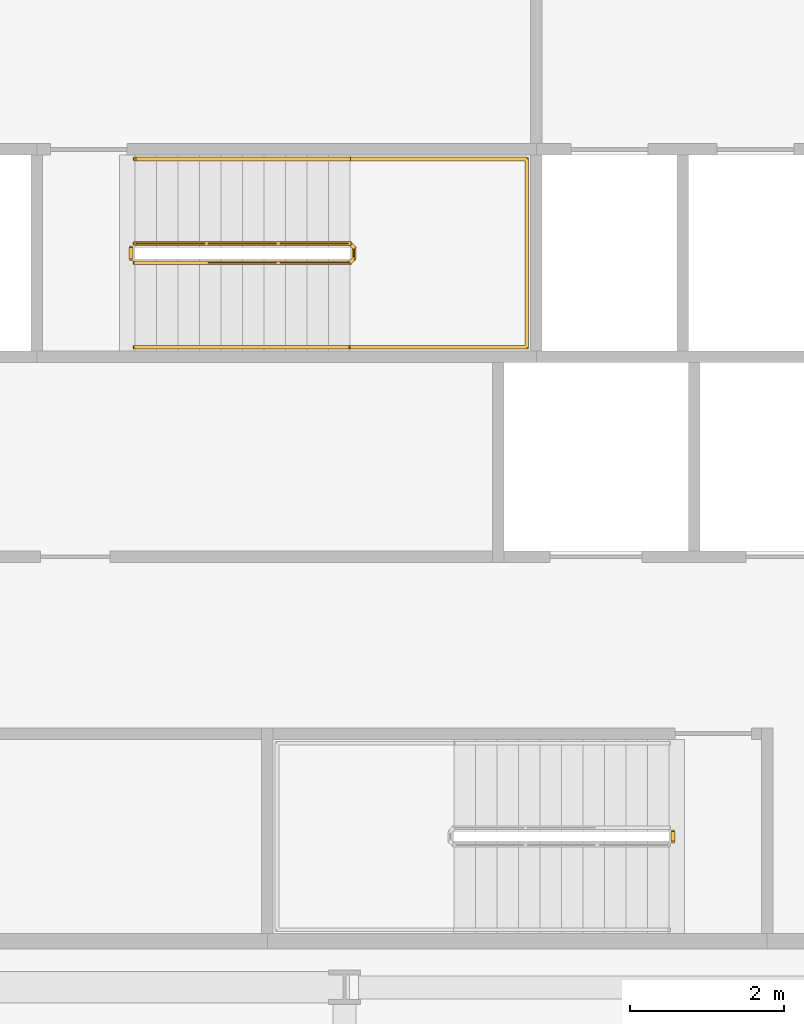
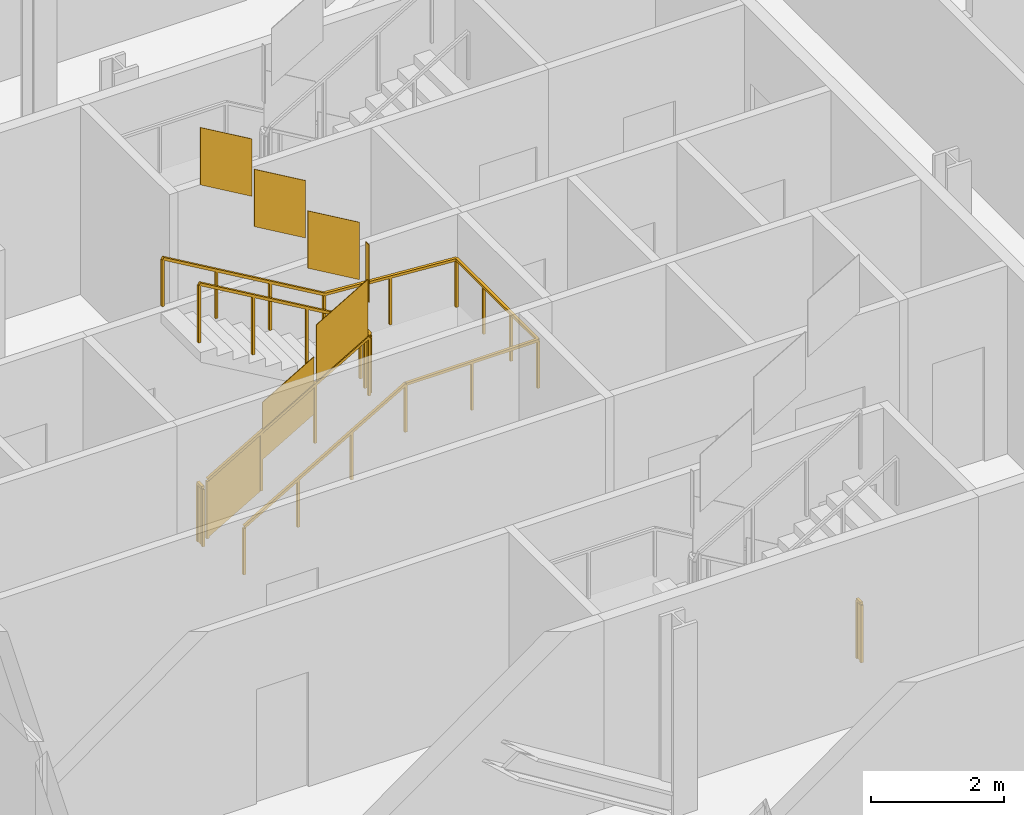
# One storey, part 16 of 19: 4 railings.
"""IFC4 building model written with IfcOpenShell, lengths in metres."""

from ifc_helpers import new_model, si_unit, direction, frame, origin, origin_2d, place, context, subcontext, project, spatial, polyline, rectangle, outline, extrude, material, type_object, element, save


model = new_model("IFC4")

# Units and contexts
model_context = context("Model", 3, precision=1e-05, world=origin(), true_north=direction((0.0, 1.0)))
body_context = subcontext(model_context, "Body", "Model", "MODEL_VIEW")
ifc_project = project(units=[si_unit("LENGTHUNIT", "METRE"), si_unit("AREAUNIT", "SQUARE_METRE"), si_unit("VOLUMEUNIT", "CUBIC_METRE"), si_unit("PLANEANGLEUNIT", "RADIAN"), si_unit("MASSUNIT", "GRAM", prefix="KILO")], contexts=[model_context])

# Site, building, storey
site_placement = place(None, origin())
site = spatial("IfcSite", under=ifc_project, at=site_placement, CompositionType="ELEMENT")
building_placement = place(site_placement, origin())
building = spatial("IfcBuilding", under=site, at=building_placement, Name="Cairn Pilgrim Tower", CompositionType="ELEMENT")
storey_placement = place(building_placement, frame((0.0, 0.0, 190.199951171875)))
storey = spatial("IfcBuildingStorey", under=building, at=storey_placement, Name="L48", CompositionType="ELEMENT", Elevation=190.199951171875)

# Railings
ifc_material = material(Name="Painted steel", Category="steel")
railing_type_1 = type_object("IfcRailingType", Name="STAIR GUARD 1100", PredefinedType="GUARDRAIL", material=ifc_material)
railing_1_placement = place(storey_placement, frame((11.47509765625, -3.97509765625, 0.0)))
element("IfcRailing", 1, at=railing_1_placement, inside=storey, type_object=railing_type_1, Name="L48 ST-A stair guard 2", PredefinedType="GUARDRAIL", context=body_context, shape_type="SweptSolid", body=[
    extrude(rectangle(XDim=0.048095703125, YDim=0.048095703125, at=origin_2d()), frame((0.0, 0.0, 1.076171875), z_axis=(0.0, -1.0, 0.0), x_axis=(1.0, 0.0, 0.0)), (0.0, 0.0, 1.0), 0.125),
    extrude(rectangle(XDim=0.0419921875, YDim=0.0419921875, at=origin_2d()), origin(), (0.0, 0.0, 1.0), 1.052001953125),
    extrude(rectangle(XDim=0.0419921875, YDim=0.0419921875, at=origin_2d()), frame((0.0, -0.125, 0.0)), (0.0, 0.0, 1.0), 1.052001953125),
    extrude(outline(polyline([(0.02099609375, 0.0), (0.10400390625, 0.0), (0.10400390625, 1.052001953125), (0.02099609375, 1.052001953125), (0.02099609375, 0.0)])), frame((0.005859375, 0.0, 0.0), z_axis=(-1.0, 0.0, 0.0), x_axis=(0.0, -1.0, 0.0)), (0.0, 0.0, 1.0), 0.011962890625),
])
railing_2_placement = place(storey_placement, frame((4.47509765625, 3.425048828125, 0.16357421875)))
element("IfcRailing", 2, at=railing_2_placement, inside=storey, type_object=railing_type_1, Name="L48 ST-B stair guard 1", PredefinedType="GUARDRAIL", context=body_context, shape_type="SweptSolid", body=[
    extrude(rectangle(XDim=0.048095703125, YDim=0.048095703125, at=origin_2d()), frame((0.0, 0.0, 1.076171875), z_axis=(0.863341702679, 0.0, 0.504619762213), x_axis=(0.0, 1.0, 0.0)), (0.0, 0.0, 1.0), 3.242919921875),
    extrude(rectangle(XDim=0.048095703125, YDim=0.048095703125, at=origin_2d()), frame((2.7998046875, 0.0, 2.71240234375), z_axis=(0.707106781187, 0.707106781187, 0.0), x_axis=(-0.707106781187, 0.707106781187, 0.0)), (0.0, 0.0, 1.0), 0.07080078125),
    extrude(rectangle(XDim=0.048095703125, YDim=0.048095703125, at=origin_2d()), frame((2.849853515625, 0.050048828125, 2.71240234375), z_axis=(0.0, 1.0, 0.0), x_axis=(-1.0, 0.0, 0.0)), (0.0, 0.0, 1.0), 0.14990234375),
    extrude(rectangle(XDim=0.048095703125, YDim=0.048095703125, at=origin_2d()), frame((2.849853515625, 0.199951171875, 2.71240234375), z_axis=(-0.280808744504, 0.280808744504, 0.917765164963), x_axis=(-0.707106781187, -0.707106781187, 0.0)), (0.0, 0.0, 1.0), 0.17822265625),
    extrude(rectangle(XDim=0.048095703125, YDim=0.048095703125, at=origin_2d()), frame((2.7998046875, 0.25, 2.8759765625), z_axis=(-0.863341702679, 0.0, 0.504619762213), x_axis=(0.0, -1.0, 0.0)), (0.0, 0.0, 1.0), 3.242919921875),
    extrude(rectangle(XDim=0.0419921875, YDim=0.0419921875, at=origin_2d()), origin(), (0.0, 0.0, 1.0), 1.052001953125),
    extrude(rectangle(XDim=0.0419921875, YDim=0.0419921875, at=origin_2d()), frame((0.933349609375, 0.0, 0.54541015625)), (0.0, 0.0, 1.0), 1.052001953125),
    extrude(rectangle(XDim=0.0419921875, YDim=0.0419921875, at=origin_2d()), frame((1.866455078125, 0.0, 1.091064453125)), (0.0, 0.0, 1.0), 1.052001953125),
    extrude(rectangle(XDim=0.0419921875, YDim=0.0419921875, at=origin_2d()), frame((2.7998046875, 0.0, 1.636474609375)), (0.0, 0.0, 1.0), 1.052001953125),
    extrude(rectangle(XDim=0.0419921875, YDim=0.0419921875, at=origin_2d()), frame((2.849853515625, 0.050048828125, 1.636474609375)), (0.0, 0.0, 1.0), 1.052001953125),
    extrude(rectangle(XDim=0.0419921875, YDim=0.0419921875, at=origin_2d()), frame((2.849853515625, 0.199951171875, 1.636474609375)), (0.0, 0.0, 1.0), 1.052001953125),
    extrude(rectangle(XDim=0.0419921875, YDim=0.0419921875, at=origin_2d()), frame((2.7998046875, 0.25, 1.800048828125)), (0.0, 0.0, 1.0), 1.052001953125),
    extrude(rectangle(XDim=0.0419921875, YDim=0.0419921875, at=origin_2d()), frame((1.866455078125, 0.25, 2.345458984375)), (0.0, 0.0, 1.0), 1.052001953125),
    extrude(rectangle(XDim=0.0419921875, YDim=0.0419921875, at=origin_2d()), frame((0.933349609375, 0.25, 2.89111328125)), (0.0, 0.0, 1.0), 1.052001953125),
    extrude(rectangle(XDim=0.0419921875, YDim=0.0419921875, at=origin_2d()), frame((0.0, 0.25, 3.4365234375)), (0.0, 0.0, 1.0), 1.052001953125),
    extrude(outline(polyline([(0.02099609375, 0.01220703125), (0.912353515625, 0.533203125), (0.912353515625, 1.585205078125), (0.02099609375, 1.064208984375), (0.02099609375, 0.01220703125)])), frame((0.0, 0.005859375, 0.0), z_axis=(0.0, -1.0, 0.0), x_axis=(1.0, 0.0, 0.0)), (0.0, 0.0, 1.0), 0.011962890625),
    extrude(outline(polyline([(0.02099609375, 0.557861328125), (0.912353515625, 1.07861328125), (0.912353515625, 2.130615234375), (0.02099609375, 1.60986328125), (0.02099609375, 0.557861328125)])), frame((0.933349609375, 0.005859375, 0.54541015625), z_axis=(0.0, -1.0, 0.0), x_axis=(1.0, 0.0, 0.0)), (0.0, 0.0, 1.0), 0.011962890625),
    extrude(outline(polyline([(0.02099609375, 1.103271484375), (0.912353515625, 1.624267578125), (0.912353515625, 2.67626953125), (0.02099609375, 2.1552734375), (0.02099609375, 1.103271484375)])), frame((1.866455078125, 0.005859375, 1.091064453125), z_axis=(0.0, -1.0, 0.0), x_axis=(1.0, 0.0, 0.0)), (0.0, 0.0, 1.0), 0.011962890625),
    extrude(outline(polyline([(0.02099609375, 1.636474609375), (0.12890625, 1.636474609375), (0.12890625, 2.6884765625), (0.02099609375, 2.6884765625), (0.02099609375, 1.636474609375)])), frame((2.84375, 0.050048828125, 1.636474609375), z_axis=(1.0, 0.0, 0.0), x_axis=(0.0, 1.0, 0.0)), (0.0, 0.0, 1.0), 0.011962890625),
    extrude(outline(polyline([(0.02099609375, 1.812255859375), (0.912353515625, 2.333251953125), (0.912353515625, 3.38525390625), (0.02099609375, 2.8642578125), (0.02099609375, 1.812255859375)])), frame((2.7998046875, 0.244140625, 1.800048828125), z_axis=(0.0, 1.0, 0.0), x_axis=(-1.0, 0.0, 0.0)), (0.0, 0.0, 1.0), 0.011962890625),
    extrude(outline(polyline([(0.02099609375, 2.35791015625), (0.912353515625, 2.878662109375), (0.912353515625, 3.9306640625), (0.02099609375, 3.409912109375), (0.02099609375, 2.35791015625)])), frame((1.866455078125, 0.244140625, 2.345458984375), z_axis=(0.0, 1.0, 0.0), x_axis=(-1.0, 0.0, 0.0)), (0.0, 0.0, 1.0), 0.011962890625),
    extrude(outline(polyline([(0.02099609375, 2.9033203125), (0.912353515625, 3.42431640625), (0.912353515625, 4.476318359375), (0.02099609375, 3.955322265625), (0.02099609375, 2.9033203125)])), frame((0.933349609375, 0.244140625, 2.89111328125), z_axis=(0.0, 1.0, 0.0), x_axis=(-1.0, 0.0, 0.0)), (0.0, 0.0, 1.0), 0.011962890625),
])
railing_3_placement = place(storey_placement, frame((4.425048828125, 3.47509765625, 0.0)))
element("IfcRailing", 3, at=railing_3_placement, inside=storey, type_object=railing_type_1, Name="L48 ST-B stair guard 2", PredefinedType="GUARDRAIL", context=body_context, shape_type="SweptSolid", body=[
    extrude(rectangle(XDim=0.048095703125, YDim=0.048095703125, at=origin_2d()), frame((0.0, 0.0, 1.076171875), z_axis=(0.0, 1.0, 0.0), x_axis=(-1.0, 0.0, 0.0)), (0.0, 0.0, 1.0), 0.14990234375),
    extrude(rectangle(XDim=0.0419921875, YDim=0.0419921875, at=origin_2d()), origin(), (0.0, 0.0, 1.0), 1.052001953125),
    extrude(rectangle(XDim=0.0419921875, YDim=0.0419921875, at=origin_2d()), frame((0.0, 0.14990234375, 0.0)), (0.0, 0.0, 1.0), 1.052001953125),
    extrude(outline(polyline([(0.02099609375, 0.0), (0.12890625, 0.0), (0.12890625, 1.052001953125), (0.02099609375, 1.052001953125), (0.02099609375, 0.0)])), frame((-0.005859375, 0.0, 0.0), z_axis=(1.0, 0.0, 0.0), x_axis=(0.0, 1.0, 0.0)), (0.0, 0.0, 1.0), 0.011962890625),
])
railing_type_2 = type_object("IfcRailingType", Name="STAIR HANDRAIL 900", PredefinedType="HANDRAIL", material=ifc_material)
railing_4_placement = place(storey_placement, frame((4.47509765625, 2.324951171875, 0.16357421875)))
element("IfcRailing", 4, at=railing_4_placement, inside=storey, type_object=railing_type_2, Name="L48 ST-B stair handrail 1", PredefinedType="HANDRAIL", context=body_context, shape_type="SweptSolid", body=[
    extrude(rectangle(XDim=0.048095703125, YDim=0.048095703125, at=origin_2d()), frame((0.0, 0.0, 0.8759765625), z_axis=(0.863341702679, 0.0, 0.504619762213), x_axis=(0.0, 1.0, 0.0)), (0.0, 0.0, 1.0), 3.242919921875),
    extrude(rectangle(XDim=0.048095703125, YDim=0.048095703125, at=origin_2d()), frame((2.7998046875, 0.0, 2.51220703125), z_axis=(1.0, 0.0, 0.0), x_axis=(0.0, 1.0, 0.0)), (0.0, 0.0, 1.0), 2.300048828125),
    extrude(rectangle(XDim=0.048095703125, YDim=0.048095703125, at=origin_2d()), frame((5.099853515625, 0.0, 2.51220703125), z_axis=(0.0, 1.0, 0.0), x_axis=(-1.0, 0.0, 0.0)), (0.0, 0.0, 1.0), 2.449951171875),
    extrude(rectangle(XDim=0.048095703125, YDim=0.048095703125, at=origin_2d()), frame((5.099853515625, 2.449951171875, 2.51220703125), z_axis=(-0.997480687736, 0.0, 0.070938548008), x_axis=(0.0, -1.0, 0.0)), (0.0, 0.0, 1.0), 2.305908203125),
    extrude(rectangle(XDim=0.048095703125, YDim=0.048095703125, at=origin_2d()), frame((2.7998046875, 2.449951171875, 2.67578125), z_axis=(-0.863341702679, 0.0, 0.504619762213), x_axis=(0.0, -1.0, 0.0)), (0.0, 0.0, 1.0), 3.242919921875),
    extrude(rectangle(XDim=0.0419921875, YDim=0.0419921875, at=origin_2d()), origin(), (0.0, 0.0, 1.0), 0.851806640625),
    extrude(rectangle(XDim=0.0419921875, YDim=0.0419921875, at=origin_2d()), frame((0.933349609375, 0.0, 0.54541015625)), (0.0, 0.0, 1.0), 0.851806640625),
    extrude(rectangle(XDim=0.0419921875, YDim=0.0419921875, at=origin_2d()), frame((1.866455078125, 0.0, 1.091064453125)), (0.0, 0.0, 1.0), 0.851806640625),
    extrude(rectangle(XDim=0.0419921875, YDim=0.0419921875, at=origin_2d()), frame((2.7998046875, 0.0, 1.636474609375)), (0.0, 0.0, 1.0), 0.851806640625),
    extrude(rectangle(XDim=0.0419921875, YDim=0.0419921875, at=origin_2d()), frame((3.94970703125, 0.0, 1.636474609375)), (0.0, 0.0, 1.0), 0.851806640625),
    extrude(rectangle(XDim=0.0419921875, YDim=0.0419921875, at=origin_2d()), frame((5.099853515625, 0.0, 1.636474609375)), (0.0, 0.0, 1.0), 0.851806640625),
    extrude(rectangle(XDim=0.0419921875, YDim=0.0419921875, at=origin_2d()), frame((5.099853515625, 0.816650390625, 1.636474609375)), (0.0, 0.0, 1.0), 0.851806640625),
    extrude(rectangle(XDim=0.0419921875, YDim=0.0419921875, at=origin_2d()), frame((5.099853515625, 1.63330078125, 1.636474609375)), (0.0, 0.0, 1.0), 0.851806640625),
    extrude(rectangle(XDim=0.0419921875, YDim=0.0419921875, at=origin_2d()), frame((5.099853515625, 2.449951171875, 1.636474609375)), (0.0, 0.0, 1.0), 0.851806640625),
    extrude(rectangle(XDim=0.0419921875, YDim=0.0419921875, at=origin_2d()), frame((3.94970703125, 2.449951171875, 1.71826171875)), (0.0, 0.0, 1.0), 0.851806640625),
    extrude(rectangle(XDim=0.0419921875, YDim=0.0419921875, at=origin_2d()), frame((2.7998046875, 2.449951171875, 1.800048828125)), (0.0, 0.0, 1.0), 0.851806640625),
    extrude(rectangle(XDim=0.0419921875, YDim=0.0419921875, at=origin_2d()), frame((1.866455078125, 2.449951171875, 2.345458984375)), (0.0, 0.0, 1.0), 0.851806640625),
    extrude(rectangle(XDim=0.0419921875, YDim=0.0419921875, at=origin_2d()), frame((0.933349609375, 2.449951171875, 2.89111328125)), (0.0, 0.0, 1.0), 0.851806640625),
    extrude(rectangle(XDim=0.0419921875, YDim=0.0419921875, at=origin_2d()), frame((0.0, 2.449951171875, 3.4365234375)), (0.0, 0.0, 1.0), 0.851806640625),
])

save(model, "model.ifc")
